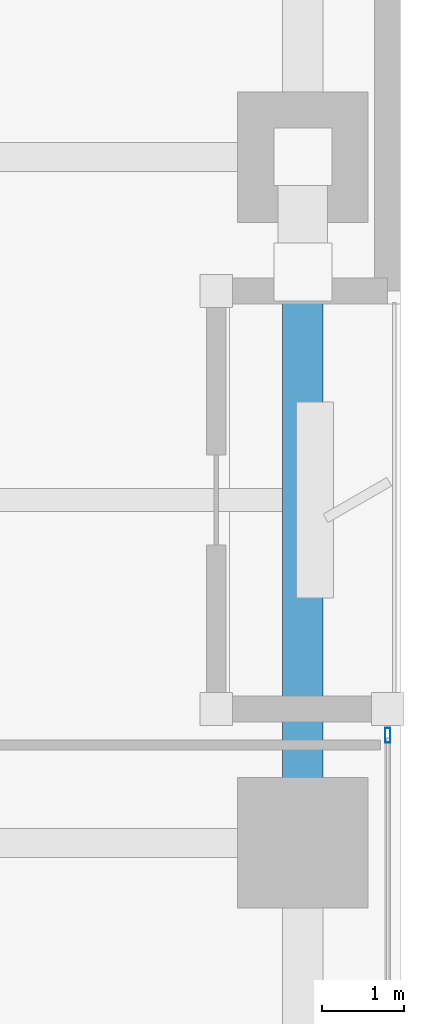
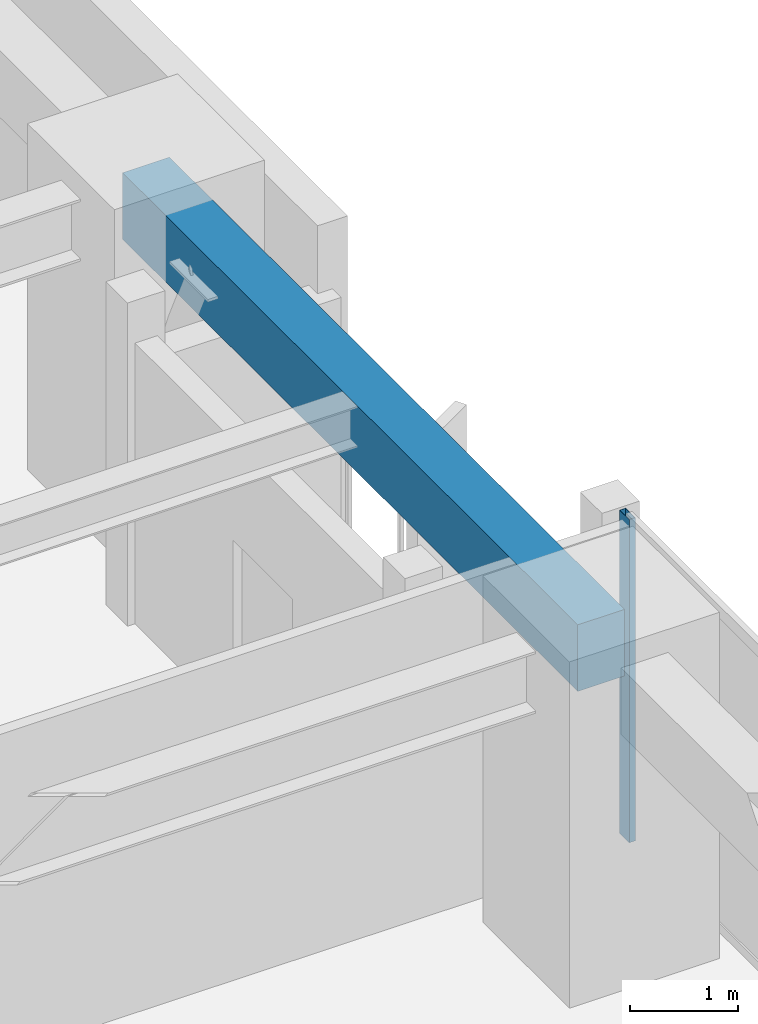
# One storey, part 10 of 28: 1 beam, 1 member, 1 element without a shape of its own.
"""IFC4 building model written with IfcOpenShell, lengths in metres."""

import ifcopenshell
import ifcopenshell.guid

model = None  # the IFC model being written
_history = None  # IfcOwnerHistory: only IFC2X3 demands one
_inside = {}  # id of a spatial element -> (the spatial element, [elements in it])
_under = {}  # id of a project, library or spatial element -> (it, [spatial elements below it])
_declared = {}  # id of a project -> (the project, [libraries it declares])
_typed = {}  # id of a type object -> (the type object, [elements of that type])
_made_of = {}  # id of a material, layer set ... -> (it, [elements and type objects made of it])


def new_model(schema):
    """Start an empty IFC model of exactly this schema.

    Asked for "IFC4X3", IfcOpenShell would pick the latest addendum, in which some entities
    have other attributes; the version numbers below select the first issue.
    IFC2X3 requires an IfcOwnerHistory on every rooted entity: one is made here for all.
    """
    global model, _history
    if schema == "IFC4X3":
        model = ifcopenshell.file(schema_version=(4, 3, 0, 0))
    else:
        model = ifcopenshell.file(schema=schema)
    _inside.clear()
    _under.clear()
    _declared.clear()
    _typed.clear()
    _made_of.clear()
    _history = None
    if model.schema == "IFC2X3":
        org = make("IfcOrganization", Name="unknown")
        user = make(
            "IfcPersonAndOrganization",
            ThePerson=make("IfcPerson", FamilyName="unknown"),
            TheOrganization=org,
        )
        app = make(
            "IfcApplication",
            ApplicationDeveloper=org,
            Version="unknown",
            ApplicationFullName="unknown",
            ApplicationIdentifier="unknown",
        )
        _history = make(
            "IfcOwnerHistory",
            OwningUser=user,
            OwningApplication=app,
            ChangeAction="ADDED",
            CreationDate=0,
        )
    return model


def make(cls, **values):
    """One entity of the class cls with the attributes given. An attribute that is None is left unset."""
    return model.create_entity(
        cls, **{name: value for name, value in values.items() if value is not None}
    )


def rooted(cls, **values):
    """An entity with a GlobalId (a new one), such as an element, a storey or a relation."""
    return make(cls, GlobalId=ifcopenshell.guid.new(), OwnerHistory=_history, **values)


def si_unit(unit_type, name, prefix=None):
    """IfcSIUnit, for example si_unit("LENGTHUNIT", "METRE", prefix="MILLI")."""
    return make("IfcSIUnit", UnitType=unit_type, Prefix=prefix, Name=name)


def assignment(units):
    """IfcUnitAssignment: the units of a project."""
    return None if units is None else make("IfcUnitAssignment", Units=units)


def point(xyz):
    """IfcCartesianPoint."""
    return None if xyz is None else make("IfcCartesianPoint", Coordinates=xyz)


def direction(xyz):
    """IfcDirection."""
    return None if xyz is None else make("IfcDirection", DirectionRatios=xyz)


def frame(location, z_axis=None, x_axis=None):
    """IfcAxis2Placement3D, a coordinate frame: its origin and axes. An axis left out is left unset."""
    return make(
        "IfcAxis2Placement3D",
        Location=point(location),
        Axis=direction(z_axis),
        RefDirection=direction(x_axis),
    )


def frame_2d(location, x_axis=None):
    """IfcAxis2Placement2D, a coordinate frame in the plane: its origin and x axis."""
    return make(
        "IfcAxis2Placement2D", Location=point(location), RefDirection=direction(x_axis)
    )


def origin():
    """The frame at (0, 0, 0) with its axes left unset."""
    return frame((0.0, 0.0, 0.0))


def origin_2d():
    """The frame at (0, 0) in the plane with its x axis left unset."""
    return frame_2d((0.0, 0.0))


def place(relative_to, where):
    """IfcLocalPlacement: puts the frame where relative to a parent placement (None: the world)."""
    return make(
        "IfcLocalPlacement", PlacementRelTo=relative_to, RelativePlacement=where
    )


def context(
    kind, dimensions, precision=None, world=None, true_north=None, identifier=None
):
    """IfcGeometricRepresentationContext, for example the 3D "Model" context."""
    return make(
        "IfcGeometricRepresentationContext",
        ContextIdentifier=identifier,
        ContextType=kind,
        CoordinateSpaceDimension=dimensions,
        Precision=precision,
        WorldCoordinateSystem=world,
        TrueNorth=true_north,
    )


def subcontext(parent, identifier, kind, view, scale=None):
    """IfcGeometricRepresentationSubContext, for example "Body" below "Model"."""
    return make(
        "IfcGeometricRepresentationSubContext",
        ContextIdentifier=identifier,
        ContextType=kind,
        ParentContext=parent,
        TargetScale=scale,
        TargetView=view,
    )


def project(units=None, contexts=None):
    """IfcProject with its units and contexts."""
    return rooted(
        "IfcProject",
        Name="project",
        RepresentationContexts=contexts,
        UnitsInContext=assignment(units),
    )


def spatial(cls, under=None, at=None, **own):
    """A site, building, storey or space (cls), placed at a placement, below another one or the project."""
    s = rooted(cls, ObjectPlacement=at, **own)
    if under is not None:
        _under.setdefault(under.id(), (under, []))[1].append(s)
    return s


def profile(cls, at=None, kind="AREA", **sizes):
    """A parametric profile (cls). Its sizes go by their IFC names, for example OverallWidth=200.0."""
    return make(cls, ProfileType=kind, Position=at, **sizes)


def rectangle(**sizes):
    """IfcRectangleProfileDef."""
    return profile("IfcRectangleProfileDef", **sizes)


def hollow_rectangle(**sizes):
    """IfcRectangleHollowProfileDef."""
    return profile("IfcRectangleHollowProfileDef", **sizes)


def extrude(swept, where, along, depth):
    """IfcExtrudedAreaSolid: the profile swept, set in the frame where, extruded along a direction by depth."""
    return make(
        "IfcExtrudedAreaSolid",
        SweptArea=swept,
        Position=where,
        ExtrudedDirection=direction(along),
        Depth=depth,
    )


def shape(context_of_items, identifier, shape_type, items):
    """IfcShapeRepresentation: the items that make up one representation, for example the "Body"."""
    return make(
        "IfcShapeRepresentation",
        ContextOfItems=context_of_items,
        RepresentationIdentifier=identifier,
        RepresentationType=shape_type,
        Items=items,
    )


def material(Name=None, Category=None):
    """IfcMaterial."""
    return make("IfcMaterial", Name=Name, Category=Category)


def layer(
    of_material, thickness, ventilated=None, Name=None, Category=None, Priority=None
):
    """IfcMaterialLayer: one layer of a wall or slab, of a material (None: an air gap)."""
    return make(
        "IfcMaterialLayer",
        Material=of_material,
        LayerThickness=thickness,
        IsVentilated=ventilated,
        Name=Name,
        Category=Category,
        Priority=Priority,
    )


def layer_set(layers, Name=None):
    """IfcMaterialLayerSet."""
    return make("IfcMaterialLayerSet", MaterialLayers=layers, LayerSetName=Name)


def material_profile(
    of_material, cross_section, Name=None, Category=None, Priority=None
):
    """IfcMaterialProfile: a cross section and its material."""
    return make(
        "IfcMaterialProfile",
        Name=Name,
        Material=of_material,
        Profile=cross_section,
        Priority=Priority,
        Category=Category,
    )


def profile_set(profiles, Name=None, composite=None):
    """IfcMaterialProfileSet."""
    return make(
        "IfcMaterialProfileSet",
        Name=Name,
        MaterialProfiles=profiles,
        CompositeProfile=composite,
    )


def made_of(thing, what):
    """Note that an element or type object is made of a material, layer set ...; save() writes the relation."""
    if what is not None:
        _made_of.setdefault(what.id(), (what, []))[1].append(thing)
    return thing


def type_object(cls, material=None, **own):
    """A type object (cls), such as IfcWallType, which elements share."""
    return made_of(rooted(cls, **own), material)


def element(
    cls,
    number,
    at=None,
    inside=None,
    cuts=None,
    type_object=None,
    material=None,
    context=None,
    identifier="Body",
    shape_type=None,
    held_by="IfcProductDefinitionShape",
    body=None,
    shapes=None,
    **own,
):
    """One element of the class cls, such as IfcWall. Its Tag is "e" and its number.

    at: its placement. inside: the storey or other place that contains it. cuts: it is an
    opening in that element (IfcRelVoidsElement). A single representation is given by context,
    identifier, shape_type and body (its items); several are given by shapes. held_by: the class
    of the entity that holds the representations. save() writes the other relations.
    """
    e = rooted(cls, Tag="e%d" % number, ObjectPlacement=at, **own)
    if body is not None:
        shapes = [shape(context, identifier, shape_type, body)]
    if shapes is not None:
        e.Representation = make(held_by, Representations=shapes)
    if inside is not None:
        _inside.setdefault(inside.id(), (inside, []))[1].append(e)
    if cuts is not None:
        rooted(
            "IfcRelVoidsElement", RelatingBuildingElement=cuts, RelatedOpeningElement=e
        )
    if type_object is not None:
        _typed.setdefault(type_object.id(), (type_object, []))[1].append(e)
    return made_of(e, material)


def aggregate(whole, parts):
    """IfcRelAggregates: a whole, such as a stair, and the parts it consists of."""
    return rooted("IfcRelAggregates", RelatingObject=whole, RelatedObjects=parts)


def save(model, path):
    """Write the relations noted so far, then the file.

    IfcRelAggregates (storeys below a building ...), IfcRelContainedInSpatialStructure (elements
    in a storey), IfcRelDefinesByType, IfcRelAssociatesMaterial and IfcRelDeclares: one each for
    every whole, place, type object, material and project.
    """
    for whole, parts in _under.values():
        aggregate(whole, parts)
    for where, things in _inside.values():
        rooted(
            "IfcRelContainedInSpatialStructure",
            RelatedElements=things,
            RelatingStructure=where,
        )
    for kind, things in _typed.values():
        rooted("IfcRelDefinesByType", RelatedObjects=things, RelatingType=kind)
    for what, things in _made_of.values():
        rooted("IfcRelAssociatesMaterial", RelatedObjects=things, RelatingMaterial=what)
    for by, libraries in _declared.values():
        rooted("IfcRelDeclares", RelatingContext=by, RelatedDefinitions=libraries)
    model.write(path)


model = new_model("IFC4")

# Units and contexts
model_context = context("Model", 3, precision=1e-05, world=origin(), true_north=direction((0.0, 1.0)))
body_context = subcontext(model_context, "Body", "Model", "MODEL_VIEW")
ifc_project = project(units=[si_unit("LENGTHUNIT", "METRE"), si_unit("AREAUNIT", "SQUARE_METRE"), si_unit("VOLUMEUNIT", "CUBIC_METRE"), si_unit("PLANEANGLEUNIT", "RADIAN"), si_unit("MASSUNIT", "GRAM", prefix="KILO")], contexts=[model_context])

# Site, building, storey
site_placement = place(None, origin())
site = spatial("IfcSite", under=ifc_project, at=site_placement, CompositionType="ELEMENT")
building_placement = place(site_placement, origin())
building = spatial("IfcBuilding", under=site, at=building_placement, Name="Kiyonajd Concourse Tower", CompositionType="ELEMENT")
storey_placement = place(building_placement, frame((0.0, 0.0, 60.60009765625)))
storey = spatial("IfcBuildingStorey", under=building, at=storey_placement, Name="L16", CompositionType="ELEMENT", Elevation=60.60009765625)

# Beam
ifc_material_1 = material(Name="Precast concrete C50/60", Category="concrete")
ifc_material_profile_1 = material_profile(ifc_material_1, rectangle(XDim=0.5, YDim=0.75, at=origin_2d()), Name="RCBM-500x750")
ifc_profile_set_1 = profile_set([ifc_material_profile_1], Name="Precast concrete C50/60")
beam_type = type_object("IfcBeamType", Name="BM-SPAN-RC", PredefinedType="SPANDREL", material=ifc_profile_set_1)
beam_placement = place(storey_placement, frame((78.0, 36.0, 3.264892578125), z_axis=(0.0, 1.0, 0.0), x_axis=(-1.0, 0.0, 0.0)))
element("IfcBeam", 1, at=beam_placement, inside=storey, type_object=beam_type, Name="L16 Perimeter Bundled Tube Spandrel", PredefinedType="SPANDREL", context=body_context, shape_type="SweptSolid", body=[
    extrude(rectangle(XDim=0.5, YDim=0.75, at=origin_2d()), origin(), (0.0, 0.0, 1.0), 8.39990234375),
])

# Curtain wall, member
ifc_material_2 = material(Name="Thermally Broken Anodised Aluminium", Category="aluminium")
ifc_layer = layer(ifc_material_2, 0.179931640625)
ifc_layer_set = layer_set([ifc_layer], Name="Thermally Broken Anodised Aluminium")
curtain_wall_type = type_object("IfcCurtainWallType", Name="CW-SYS-02", PredefinedType="NOTDEFINED", material=ifc_layer_set)
curtain_wall_placement = place(storey_placement, origin())
curtain_wall = element("IfcCurtainWall", 2, at=curtain_wall_placement, inside=storey, type_object=curtain_wall_type, Name="L16 Unitised Curtain Wall CW2", PredefinedType="NOTDEFINED")
ifc_material_profile_2 = material_profile(ifc_material_2, hollow_rectangle(XDim=0.06494140625, YDim=0.179931640625, WallThickness=0.00390625, at=origin_2d()), Name="MULL-65x180")
ifc_profile_set_2 = profile_set([ifc_material_profile_2], Name="Thermally Broken Anodised Aluminium")
member_type = type_object("IfcMemberType", Name="MB-CW-MULL1", PredefinedType="MULLION", material=ifc_profile_set_2)
member_placement = place(storey_placement, frame((79.0400390625, 37.3173828125, 0.0), z_axis=(0.0, 0.0, 1.0), x_axis=(1.0, 0.0, 0.0)))
member = element("IfcMember", 3, at=member_placement, type_object=member_type, Name="CW2 mullion 1", PredefinedType="MULLION", context=body_context, shape_type="SweptSolid", body=[
    extrude(hollow_rectangle(XDim=0.06494140625, YDim=0.179931640625, WallThickness=0.00390625, at=origin_2d()), origin(), (0.0, 0.0, 1.0), 3.639892578125),
])
aggregate(curtain_wall, [member])

save(model, "model.ifc")
